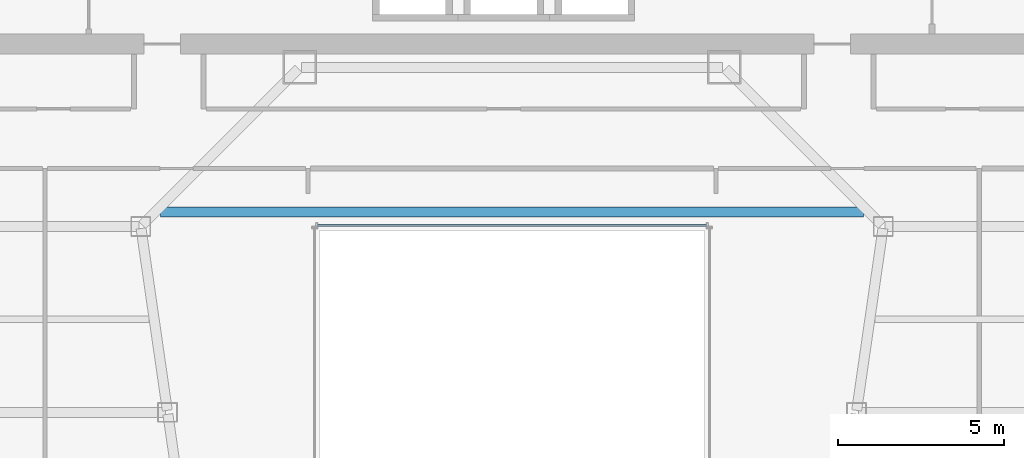
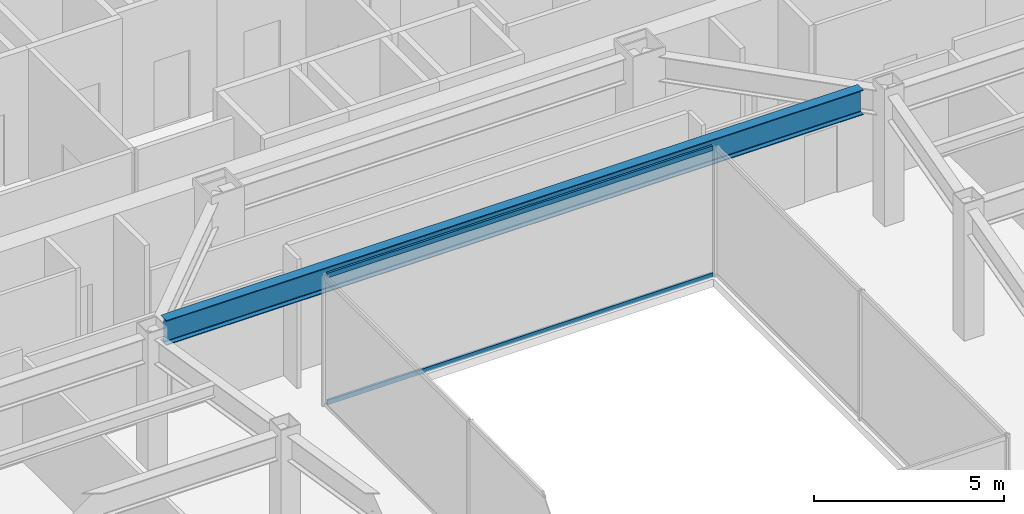
# One storey, part 13 of 37: 2 members, 1 beam, 1 element without a shape of its own.
"""IFC4 building model written with IfcOpenShell, lengths in metres."""

import ifcopenshell
import ifcopenshell.guid

model = None  # the IFC model being written
_history = None  # IfcOwnerHistory: only IFC2X3 demands one
_inside = {}  # id of a spatial element -> (the spatial element, [elements in it])
_under = {}  # id of a project, library or spatial element -> (it, [spatial elements below it])
_declared = {}  # id of a project -> (the project, [libraries it declares])
_typed = {}  # id of a type object -> (the type object, [elements of that type])
_made_of = {}  # id of a material, layer set ... -> (it, [elements and type objects made of it])


def new_model(schema):
    """Start an empty IFC model of exactly this schema.

    Asked for "IFC4X3", IfcOpenShell would pick the latest addendum, in which some entities
    have other attributes; the version numbers below select the first issue.
    IFC2X3 requires an IfcOwnerHistory on every rooted entity: one is made here for all.
    """
    global model, _history
    if schema == "IFC4X3":
        model = ifcopenshell.file(schema_version=(4, 3, 0, 0))
    else:
        model = ifcopenshell.file(schema=schema)
    _inside.clear()
    _under.clear()
    _declared.clear()
    _typed.clear()
    _made_of.clear()
    _history = None
    if model.schema == "IFC2X3":
        org = make("IfcOrganization", Name="unknown")
        user = make(
            "IfcPersonAndOrganization",
            ThePerson=make("IfcPerson", FamilyName="unknown"),
            TheOrganization=org,
        )
        app = make(
            "IfcApplication",
            ApplicationDeveloper=org,
            Version="unknown",
            ApplicationFullName="unknown",
            ApplicationIdentifier="unknown",
        )
        _history = make(
            "IfcOwnerHistory",
            OwningUser=user,
            OwningApplication=app,
            ChangeAction="ADDED",
            CreationDate=0,
        )
    return model


def make(cls, **values):
    """One entity of the class cls with the attributes given. An attribute that is None is left unset."""
    return model.create_entity(
        cls, **{name: value for name, value in values.items() if value is not None}
    )


def rooted(cls, **values):
    """An entity with a GlobalId (a new one), such as an element, a storey or a relation."""
    return make(cls, GlobalId=ifcopenshell.guid.new(), OwnerHistory=_history, **values)


def si_unit(unit_type, name, prefix=None):
    """IfcSIUnit, for example si_unit("LENGTHUNIT", "METRE", prefix="MILLI")."""
    return make("IfcSIUnit", UnitType=unit_type, Prefix=prefix, Name=name)


def assignment(units):
    """IfcUnitAssignment: the units of a project."""
    return None if units is None else make("IfcUnitAssignment", Units=units)


def point(xyz):
    """IfcCartesianPoint."""
    return None if xyz is None else make("IfcCartesianPoint", Coordinates=xyz)


def direction(xyz):
    """IfcDirection."""
    return None if xyz is None else make("IfcDirection", DirectionRatios=xyz)


def frame(location, z_axis=None, x_axis=None):
    """IfcAxis2Placement3D, a coordinate frame: its origin and axes. An axis left out is left unset."""
    return make(
        "IfcAxis2Placement3D",
        Location=point(location),
        Axis=direction(z_axis),
        RefDirection=direction(x_axis),
    )


def frame_2d(location, x_axis=None):
    """IfcAxis2Placement2D, a coordinate frame in the plane: its origin and x axis."""
    return make(
        "IfcAxis2Placement2D", Location=point(location), RefDirection=direction(x_axis)
    )


def origin():
    """The frame at (0, 0, 0) with its axes left unset."""
    return frame((0.0, 0.0, 0.0))


def origin_2d():
    """The frame at (0, 0) in the plane with its x axis left unset."""
    return frame_2d((0.0, 0.0))


def place(relative_to, where):
    """IfcLocalPlacement: puts the frame where relative to a parent placement (None: the world)."""
    return make(
        "IfcLocalPlacement", PlacementRelTo=relative_to, RelativePlacement=where
    )


def context(
    kind, dimensions, precision=None, world=None, true_north=None, identifier=None
):
    """IfcGeometricRepresentationContext, for example the 3D "Model" context."""
    return make(
        "IfcGeometricRepresentationContext",
        ContextIdentifier=identifier,
        ContextType=kind,
        CoordinateSpaceDimension=dimensions,
        Precision=precision,
        WorldCoordinateSystem=world,
        TrueNorth=true_north,
    )


def subcontext(parent, identifier, kind, view, scale=None):
    """IfcGeometricRepresentationSubContext, for example "Body" below "Model"."""
    return make(
        "IfcGeometricRepresentationSubContext",
        ContextIdentifier=identifier,
        ContextType=kind,
        ParentContext=parent,
        TargetScale=scale,
        TargetView=view,
    )


def project(units=None, contexts=None):
    """IfcProject with its units and contexts."""
    return rooted(
        "IfcProject",
        Name="project",
        RepresentationContexts=contexts,
        UnitsInContext=assignment(units),
    )


def spatial(cls, under=None, at=None, **own):
    """A site, building, storey or space (cls), placed at a placement, below another one or the project."""
    s = rooted(cls, ObjectPlacement=at, **own)
    if under is not None:
        _under.setdefault(under.id(), (under, []))[1].append(s)
    return s


def profile(cls, at=None, kind="AREA", **sizes):
    """A parametric profile (cls). Its sizes go by their IFC names, for example OverallWidth=200.0."""
    return make(cls, ProfileType=kind, Position=at, **sizes)


def hollow_rectangle(**sizes):
    """IfcRectangleHollowProfileDef."""
    return profile("IfcRectangleHollowProfileDef", **sizes)


def i_section(**sizes):
    """IfcIShapeProfileDef."""
    return profile("IfcIShapeProfileDef", **sizes)


def extrude(swept, where, along, depth):
    """IfcExtrudedAreaSolid: the profile swept, set in the frame where, extruded along a direction by depth."""
    return make(
        "IfcExtrudedAreaSolid",
        SweptArea=swept,
        Position=where,
        ExtrudedDirection=direction(along),
        Depth=depth,
    )


def shape(context_of_items, identifier, shape_type, items):
    """IfcShapeRepresentation: the items that make up one representation, for example the "Body"."""
    return make(
        "IfcShapeRepresentation",
        ContextOfItems=context_of_items,
        RepresentationIdentifier=identifier,
        RepresentationType=shape_type,
        Items=items,
    )


def material(Name=None, Category=None):
    """IfcMaterial."""
    return make("IfcMaterial", Name=Name, Category=Category)


def material_profile(
    of_material, cross_section, Name=None, Category=None, Priority=None
):
    """IfcMaterialProfile: a cross section and its material."""
    return make(
        "IfcMaterialProfile",
        Name=Name,
        Material=of_material,
        Profile=cross_section,
        Priority=Priority,
        Category=Category,
    )


def profile_set(profiles, Name=None, composite=None):
    """IfcMaterialProfileSet."""
    return make(
        "IfcMaterialProfileSet",
        Name=Name,
        MaterialProfiles=profiles,
        CompositeProfile=composite,
    )


def made_of(thing, what):
    """Note that an element or type object is made of a material, layer set ...; save() writes the relation."""
    if what is not None:
        _made_of.setdefault(what.id(), (what, []))[1].append(thing)
    return thing


def type_object(cls, material=None, **own):
    """A type object (cls), such as IfcWallType, which elements share."""
    return made_of(rooted(cls, **own), material)


def element(
    cls,
    number,
    at=None,
    inside=None,
    cuts=None,
    type_object=None,
    material=None,
    context=None,
    identifier="Body",
    shape_type=None,
    held_by="IfcProductDefinitionShape",
    body=None,
    shapes=None,
    **own,
):
    """One element of the class cls, such as IfcWall. Its Tag is "e" and its number.

    at: its placement. inside: the storey or other place that contains it. cuts: it is an
    opening in that element (IfcRelVoidsElement). A single representation is given by context,
    identifier, shape_type and body (its items); several are given by shapes. held_by: the class
    of the entity that holds the representations. save() writes the other relations.
    """
    e = rooted(cls, Tag="e%d" % number, ObjectPlacement=at, **own)
    if body is not None:
        shapes = [shape(context, identifier, shape_type, body)]
    if shapes is not None:
        e.Representation = make(held_by, Representations=shapes)
    if inside is not None:
        _inside.setdefault(inside.id(), (inside, []))[1].append(e)
    if cuts is not None:
        rooted(
            "IfcRelVoidsElement", RelatingBuildingElement=cuts, RelatedOpeningElement=e
        )
    if type_object is not None:
        _typed.setdefault(type_object.id(), (type_object, []))[1].append(e)
    return made_of(e, material)


def aggregate(whole, parts):
    """IfcRelAggregates: a whole, such as a stair, and the parts it consists of."""
    return rooted("IfcRelAggregates", RelatingObject=whole, RelatedObjects=parts)


def save(model, path):
    """Write the relations noted so far, then the file.

    IfcRelAggregates (storeys below a building ...), IfcRelContainedInSpatialStructure (elements
    in a storey), IfcRelDefinesByType, IfcRelAssociatesMaterial and IfcRelDeclares: one each for
    every whole, place, type object, material and project.
    """
    for whole, parts in _under.values():
        aggregate(whole, parts)
    for where, things in _inside.values():
        rooted(
            "IfcRelContainedInSpatialStructure",
            RelatedElements=things,
            RelatingStructure=where,
        )
    for kind, things in _typed.values():
        rooted("IfcRelDefinesByType", RelatedObjects=things, RelatingType=kind)
    for what, things in _made_of.values():
        rooted("IfcRelAssociatesMaterial", RelatedObjects=things, RelatingMaterial=what)
    for by, libraries in _declared.values():
        rooted("IfcRelDeclares", RelatingContext=by, RelatedDefinitions=libraries)
    model.write(path)


model = new_model("IFC4")

# Units and contexts
model_context = context("Model", 3, precision=1e-05, world=origin(), true_north=direction((0.0, 1.0)))
body_context = subcontext(model_context, "Body", "Model", "MODEL_VIEW")
ifc_project = project(units=[si_unit("LENGTHUNIT", "METRE"), si_unit("AREAUNIT", "SQUARE_METRE"), si_unit("VOLUMEUNIT", "CUBIC_METRE"), si_unit("PLANEANGLEUNIT", "RADIAN"), si_unit("MASSUNIT", "GRAM", prefix="KILO")], contexts=[model_context])

# Site, building, storey
site_placement = place(None, origin())
site = spatial("IfcSite", under=ifc_project, at=site_placement, CompositionType="ELEMENT")
building_placement = place(site_placement, origin())
building = spatial("IfcBuilding", under=site, at=building_placement, Name="Saevonmaru Cultural Tower", CompositionType="ELEMENT")
storey_placement = place(building_placement, frame((0.0, 0.0, 110.39990234375)))
storey = spatial("IfcBuildingStorey", under=building, at=storey_placement, Name="L23", CompositionType="ELEMENT", Elevation=110.39990234375)

# Beam
ifc_material_1 = material(Name="Steel SM420", Category="steel")
ifc_material_profile_1 = material_profile(ifc_material_1, i_section(OverallWidth=0.300048828125, OverallDepth=0.800048828125, WebThickness=0.013916015625, FlangeThickness=0.02587890625, FilletRadius=0.028076171875, at=origin_2d()), Name="H-800x300x14x26")
ifc_profile_set_1 = profile_set([ifc_material_profile_1], Name="Steel SM420")
beam_type = type_object("IfcBeamType", Name="BM-G-H800", PredefinedType="BEAM", material=ifc_profile_set_1)
beam_placement = place(storey_placement, frame((19.4052734375, 38.0400390625, 3.75), z_axis=(1.0, 0.0, 0.0), x_axis=(0.0, 1.0, 0.0)))
element("IfcBeam", 1, at=beam_placement, inside=storey, type_object=beam_type, Name="L23 Central Link Girder", PredefinedType="BEAM", context=body_context, shape_type="SweptSolid", body=[
    extrude(i_section(OverallWidth=0.300048828125, OverallDepth=0.800048828125, WebThickness=0.013916015625, FlangeThickness=0.02587890625, FilletRadius=0.028076171875, at=origin_2d()), origin(), (0.0, 0.0, 1.0), 21.189453125),
])

# Curtain wall, members
ifc_material_2 = material(Name="Satin Bronze Anodised Aluminium", Category="aluminium")
curtain_wall_type = type_object("IfcCurtainWallType", Name="CW-ATR-GLZ", PredefinedType="NOTDEFINED", material=ifc_material_2)
curtain_wall_placement = place(storey_placement, origin())
curtain_wall = element("IfcCurtainWall", 2, at=curtain_wall_placement, inside=storey, type_object=curtain_wall_type, Name="L23 Vertical Atrium Glazed Smoke Screen 3", PredefinedType="NOTDEFINED")
ifc_material_profile_2 = material_profile(ifc_material_2, hollow_rectangle(XDim=0.06494140625, YDim=0.14990234375, WallThickness=0.00390625, at=origin_2d()), Name="ALU-TRAN-150x65x4")
ifc_profile_set_2 = profile_set([ifc_material_profile_2], Name="Satin Bronze Anodised Aluminium")
member_type = type_object("IfcMemberType", Name="TR-CW-INT-150x65", PredefinedType="USERDEFINED", material=ifc_profile_set_2)
member_1_placement = place(storey_placement, frame((35.857421875, 37.6298828125, 0.03271484375), z_axis=(-1.0, 0.0, 0.0), x_axis=(0.0, -1.0, 0.0)))
member_1 = element("IfcMember", 3, at=member_1_placement, type_object=member_type, Name="CW-ATR-L23-3 transom 1.1", ObjectType="TRANSOM", PredefinedType="USERDEFINED", context=body_context, shape_type="SweptSolid", body=[
    extrude(hollow_rectangle(XDim=0.06494140625, YDim=0.14990234375, WallThickness=0.00390625, at=origin_2d()), origin(), (0.0, 0.0, 1.0), 11.71484375),
])
member_2_placement = place(storey_placement, frame((35.857421875, 37.6298828125, 4.11767578125), z_axis=(-1.0, 0.0, 0.0), x_axis=(0.0, -1.0, 0.0)))
member_2 = element("IfcMember", 4, at=member_2_placement, type_object=member_type, Name="CW-ATR-L23-3 transom 1.2", ObjectType="TRANSOM", PredefinedType="USERDEFINED", context=body_context, shape_type="SweptSolid", body=[
    extrude(hollow_rectangle(XDim=0.06494140625, YDim=0.14990234375, WallThickness=0.00390625, at=origin_2d()), origin(), (0.0, 0.0, 1.0), 11.71484375),
])
aggregate(curtain_wall, [member_1, member_2])

save(model, "model.ifc")
